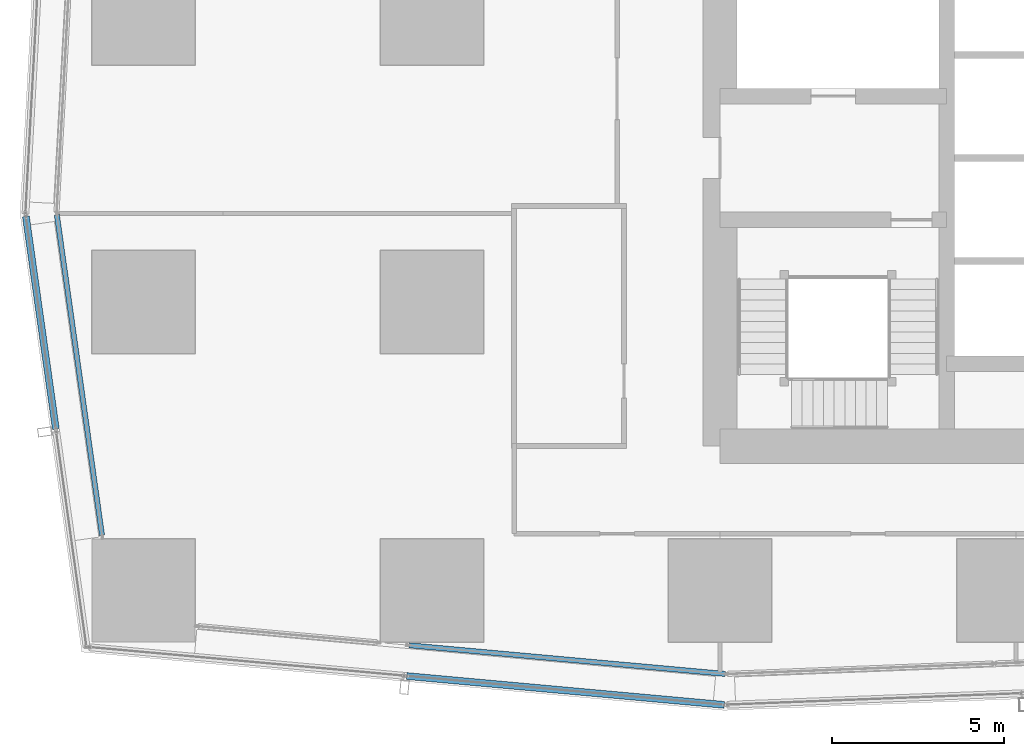
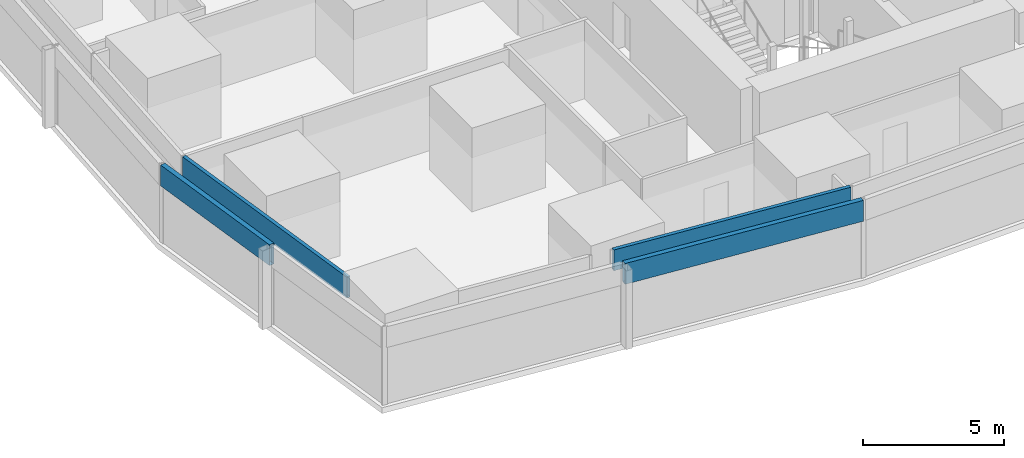
# One storey, part 3 of 38: 4 members, 4 elements without a shape of their own.
"""IFC4 building model written with IfcOpenShell, lengths in metres."""

from ifc_helpers import new_model, si_unit, direction, frame, origin, origin_2d, place, context, subcontext, project, spatial, hollow_rectangle, extrude, material, material_profile, profile_set, type_object, element, aggregate, save


model = new_model("IFC4")

# Units and contexts
model_context = context("Model", 3, precision=1e-05, world=origin(), true_north=direction((0.0, 1.0)))
body_context = subcontext(model_context, "Body", "Model", "MODEL_VIEW")
ifc_project = project(units=[si_unit("LENGTHUNIT", "METRE"), si_unit("AREAUNIT", "SQUARE_METRE"), si_unit("VOLUMEUNIT", "CUBIC_METRE"), si_unit("PLANEANGLEUNIT", "RADIAN"), si_unit("MASSUNIT", "GRAM", prefix="KILO")], contexts=[model_context])

# Site, building, storey
site_placement = place(None, origin())
site = spatial("IfcSite", under=ifc_project, at=site_placement, CompositionType="ELEMENT")
building_placement = place(site_placement, origin())
building = spatial("IfcBuilding", under=site, at=building_placement, Name="Rekha Terrace Tower", CompositionType="ELEMENT")
storey_placement = place(building_placement, frame((0.0, 0.0, 159.050048828125)))
storey = spatial("IfcBuildingStorey", under=building, at=storey_placement, Name="L40", CompositionType="ELEMENT", Elevation=159.050048828125)

# Curtain wall, member
ifc_material_1 = material(Name="Aluminium framing", Category="aluminium")
curtain_wall_type_1 = type_object("IfcCurtainWallType", Name="CW1 double skin inner glazing", PredefinedType="USERDEFINED", material=ifc_material_1)
curtain_wall_1_placement = place(storey_placement, origin())
curtain_wall_1 = element("IfcCurtainWall", 1, at=curtain_wall_1_placement, inside=storey, type_object=curtain_wall_type_1, Name="CW1 double skin inner glazing", ObjectType="DOUBLE SKIN INNER GLAZING", PredefinedType="USERDEFINED")
ifc_material_2 = material(Name="Insulated aluminium spandrel box", Category="aluminium")
ifc_material_profile_1 = material_profile(ifc_material_2, hollow_rectangle(XDim=0.14990234375, YDim=0.89990234375, WallThickness=0.0029296875, at=origin_2d()), Name="AL SPANDREL BOX 150x900")
ifc_profile_set_1 = profile_set([ifc_material_profile_1], Name="Insulated aluminium spandrel box")
member_type_1 = type_object("IfcMemberType", Name="CW1 spandrel transom 150 x 900", PredefinedType="USERDEFINED", material=ifc_profile_set_1)
member_1_placement = place(storey_placement, frame((16.1435546875, 15.19775390625, 2.949951171875), z_axis=(0.995900781674, -0.090452380075, 0.0), x_axis=(0.090452380075, 0.995900781674, 0.0)))
member_1 = element("IfcMember", 2, at=member_1_placement, type_object=member_type_1, Name="CW1 spandrel transom 1", ObjectType="TRANSOM", PredefinedType="USERDEFINED", context=body_context, shape_type="SweptSolid", body=[
    extrude(hollow_rectangle(XDim=0.14990234375, YDim=0.89990234375, WallThickness=0.0029296875, at=origin_2d()), origin(), (0.0, 0.0, 1.0), 9.24169921875),
])
aggregate(curtain_wall_1, [member_1])

curtain_wall_2_placement = place(storey_placement, origin())
curtain_wall_2 = element("IfcCurtainWall", 3, at=curtain_wall_2_placement, inside=storey, type_object=curtain_wall_type_1, Name="CW1 double skin inner glazing", ObjectType="DOUBLE SKIN INNER GLAZING", PredefinedType="USERDEFINED")
member_2_placement = place(storey_placement, frame((5.873046875, 27.7490234375, 2.949951171875), z_axis=(0.139597048071, -0.990208394314, 0.0), x_axis=(0.990208394314, 0.139597048071, 0.0)))
member_2 = element("IfcMember", 4, at=member_2_placement, type_object=member_type_1, Name="CW1 spandrel transom 1", ObjectType="TRANSOM", PredefinedType="USERDEFINED", context=body_context, shape_type="SweptSolid", body=[
    extrude(hollow_rectangle(XDim=0.14990234375, YDim=0.89990234375, WallThickness=0.0029296875, at=origin_2d()), origin(), (0.0, 0.0, 1.0), 9.444091796875),
])
aggregate(curtain_wall_2, [member_2])

curtain_wall_type_2 = type_object("IfcCurtainWallType", Name="CW2 double skin outer glazing", PredefinedType="USERDEFINED", material=ifc_material_1)
curtain_wall_3_placement = place(storey_placement, origin())
curtain_wall_3 = element("IfcCurtainWall", 5, at=curtain_wall_3_placement, inside=storey, type_object=curtain_wall_type_2, Name="CW2 double skin outer glazing", ObjectType="DOUBLE SKIN OUTER GLAZING", PredefinedType="USERDEFINED")
ifc_material_profile_2 = material_profile(ifc_material_2, hollow_rectangle(XDim=0.199951171875, YDim=0.89990234375, WallThickness=0.0029296875, at=origin_2d()), Name="AL SPANDREL BOX 200x900")
ifc_profile_set_2 = profile_set([ifc_material_profile_2], Name="Insulated aluminium spandrel box")
member_type_2 = type_object("IfcMemberType", Name="CW2 spandrel transom 200 x 900", PredefinedType="USERDEFINED", material=ifc_profile_set_2)
member_3_placement = place(storey_placement, frame((16.072265625, 14.300537109375, 2.949951171875), z_axis=(0.995900527097, -0.090455182982, 0.0), x_axis=(0.090455182982, 0.995900527097, 0.0)))
member_3 = element("IfcMember", 6, at=member_3_placement, type_object=member_type_2, Name="CW2 spandrel transom 2", ObjectType="TRANSOM", PredefinedType="USERDEFINED", context=body_context, shape_type="SweptSolid", body=[
    extrude(hollow_rectangle(XDim=0.199951171875, YDim=0.89990234375, WallThickness=0.0029296875, at=origin_2d()), origin(), (0.0, 0.0, 1.0), 9.2900390625),
])
aggregate(curtain_wall_3, [member_3])

curtain_wall_4_placement = place(storey_placement, origin())
curtain_wall_4 = element("IfcCurtainWall", 7, at=curtain_wall_4_placement, inside=storey, type_object=curtain_wall_type_2, Name="CW2 double skin outer glazing", ObjectType="DOUBLE SKIN OUTER GLAZING", PredefinedType="USERDEFINED")
member_4_placement = place(storey_placement, frame((4.9716796875, 27.695556640625, 2.949951171875), z_axis=(0.139596256865, -0.990208505856, 0.0), x_axis=(0.990208505856, 0.139596256865, 0.0)))
member_4 = element("IfcMember", 8, at=member_4_placement, type_object=member_type_2, Name="CW2 spandrel transom 1", ObjectType="TRANSOM", PredefinedType="USERDEFINED", context=body_context, shape_type="SweptSolid", body=[
    extrude(hollow_rectangle(XDim=0.199951171875, YDim=0.89990234375, WallThickness=0.0029296875, at=origin_2d()), origin(), (0.0, 0.0, 1.0), 6.255859375),
])
aggregate(curtain_wall_4, [member_4])

save(model, "model.ifc")
